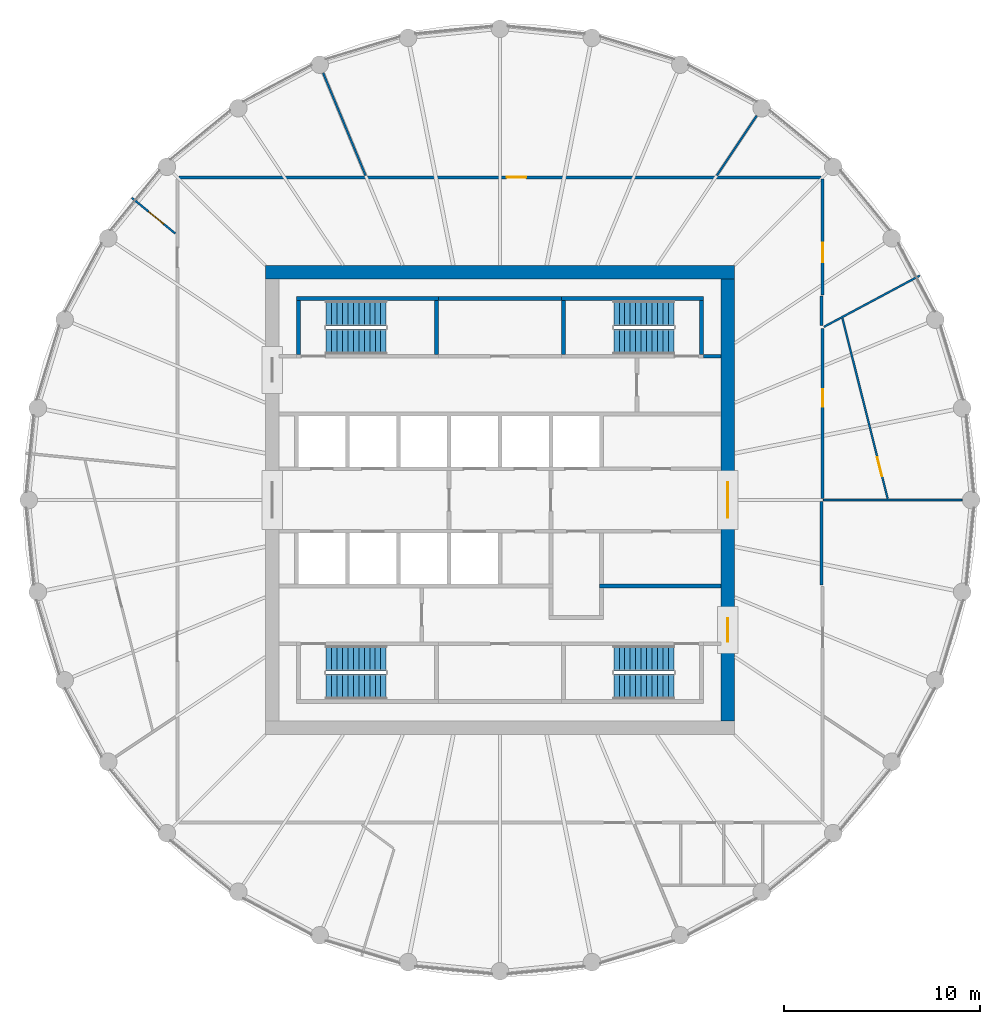
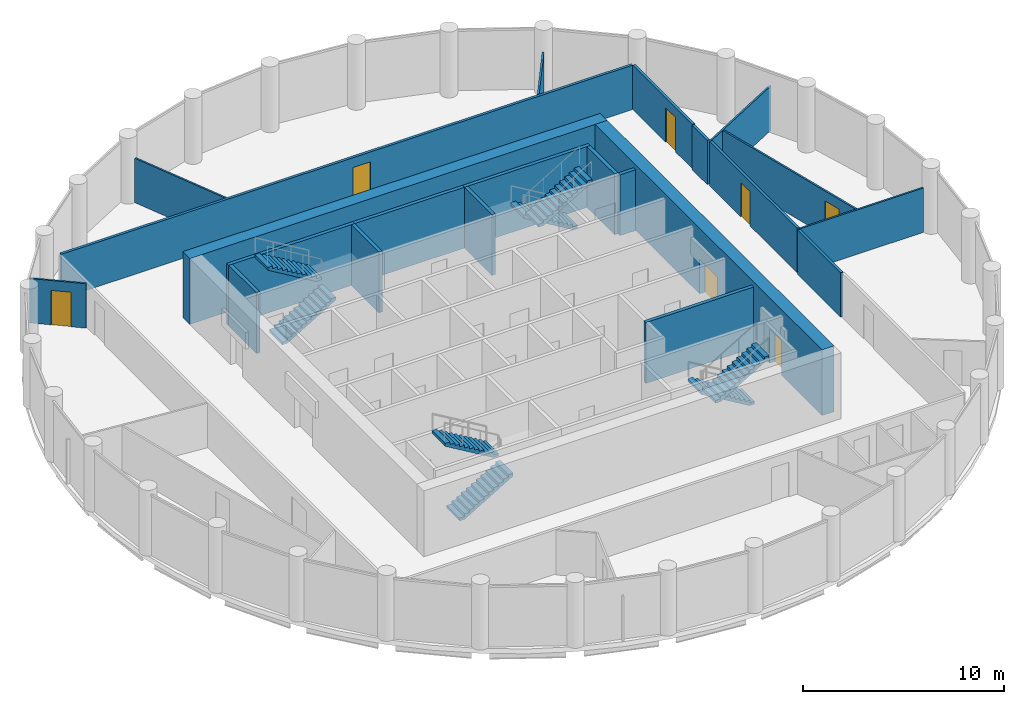
# One storey, part 6 of 7: 22 walls, 8 stair flights, 7 doors, 7 openings, 4 elements without a shape of their own.
"""IFC4 building model written with IfcOpenShell, lengths in metres."""

import ifcopenshell
import ifcopenshell.guid

model = None  # the IFC model being written
_history = None  # IfcOwnerHistory: only IFC2X3 demands one
_inside = {}  # id of a spatial element -> (the spatial element, [elements in it])
_under = {}  # id of a project, library or spatial element -> (it, [spatial elements below it])
_declared = {}  # id of a project -> (the project, [libraries it declares])
_typed = {}  # id of a type object -> (the type object, [elements of that type])
_made_of = {}  # id of a material, layer set ... -> (it, [elements and type objects made of it])


def new_model(schema):
    """Start an empty IFC model of exactly this schema.

    Asked for "IFC4X3", IfcOpenShell would pick the latest addendum, in which some entities
    have other attributes; the version numbers below select the first issue.
    IFC2X3 requires an IfcOwnerHistory on every rooted entity: one is made here for all.
    """
    global model, _history
    if schema == "IFC4X3":
        model = ifcopenshell.file(schema_version=(4, 3, 0, 0))
    else:
        model = ifcopenshell.file(schema=schema)
    _inside.clear()
    _under.clear()
    _declared.clear()
    _typed.clear()
    _made_of.clear()
    _history = None
    if model.schema == "IFC2X3":
        org = make("IfcOrganization", Name="unknown")
        user = make(
            "IfcPersonAndOrganization",
            ThePerson=make("IfcPerson", FamilyName="unknown"),
            TheOrganization=org,
        )
        app = make(
            "IfcApplication",
            ApplicationDeveloper=org,
            Version="unknown",
            ApplicationFullName="unknown",
            ApplicationIdentifier="unknown",
        )
        _history = make(
            "IfcOwnerHistory",
            OwningUser=user,
            OwningApplication=app,
            ChangeAction="ADDED",
            CreationDate=0,
        )
    return model


def make(cls, **values):
    """One entity of the class cls with the attributes given. An attribute that is None is left unset."""
    return model.create_entity(
        cls, **{name: value for name, value in values.items() if value is not None}
    )


def rooted(cls, **values):
    """An entity with a GlobalId (a new one), such as an element, a storey or a relation."""
    return make(cls, GlobalId=ifcopenshell.guid.new(), OwnerHistory=_history, **values)


def si_unit(unit_type, name, prefix=None):
    """IfcSIUnit, for example si_unit("LENGTHUNIT", "METRE", prefix="MILLI")."""
    return make("IfcSIUnit", UnitType=unit_type, Prefix=prefix, Name=name)


def assignment(units):
    """IfcUnitAssignment: the units of a project."""
    return None if units is None else make("IfcUnitAssignment", Units=units)


def point(xyz):
    """IfcCartesianPoint."""
    return None if xyz is None else make("IfcCartesianPoint", Coordinates=xyz)


def direction(xyz):
    """IfcDirection."""
    return None if xyz is None else make("IfcDirection", DirectionRatios=xyz)


def frame(location, z_axis=None, x_axis=None):
    """IfcAxis2Placement3D, a coordinate frame: its origin and axes. An axis left out is left unset."""
    return make(
        "IfcAxis2Placement3D",
        Location=point(location),
        Axis=direction(z_axis),
        RefDirection=direction(x_axis),
    )


def frame_2d(location, x_axis=None):
    """IfcAxis2Placement2D, a coordinate frame in the plane: its origin and x axis."""
    return make(
        "IfcAxis2Placement2D", Location=point(location), RefDirection=direction(x_axis)
    )


def origin():
    """The frame at (0, 0, 0) with its axes left unset."""
    return frame((0.0, 0.0, 0.0))


def place(relative_to, where):
    """IfcLocalPlacement: puts the frame where relative to a parent placement (None: the world)."""
    return make(
        "IfcLocalPlacement", PlacementRelTo=relative_to, RelativePlacement=where
    )


def context(
    kind, dimensions, precision=None, world=None, true_north=None, identifier=None
):
    """IfcGeometricRepresentationContext, for example the 3D "Model" context."""
    return make(
        "IfcGeometricRepresentationContext",
        ContextIdentifier=identifier,
        ContextType=kind,
        CoordinateSpaceDimension=dimensions,
        Precision=precision,
        WorldCoordinateSystem=world,
        TrueNorth=true_north,
    )


def subcontext(parent, identifier, kind, view, scale=None):
    """IfcGeometricRepresentationSubContext, for example "Body" below "Model"."""
    return make(
        "IfcGeometricRepresentationSubContext",
        ContextIdentifier=identifier,
        ContextType=kind,
        ParentContext=parent,
        TargetScale=scale,
        TargetView=view,
    )


def project(units=None, contexts=None):
    """IfcProject with its units and contexts."""
    return rooted(
        "IfcProject",
        Name="project",
        RepresentationContexts=contexts,
        UnitsInContext=assignment(units),
    )


def spatial(cls, under=None, at=None, **own):
    """A site, building, storey or space (cls), placed at a placement, below another one or the project."""
    s = rooted(cls, ObjectPlacement=at, **own)
    if under is not None:
        _under.setdefault(under.id(), (under, []))[1].append(s)
    return s


def polyline(points):
    """IfcPolyline through the points."""
    return make("IfcPolyline", Points=[point(p) for p in points])


def profile(cls, at=None, kind="AREA", **sizes):
    """A parametric profile (cls). Its sizes go by their IFC names, for example OverallWidth=200.0."""
    return make(cls, ProfileType=kind, Position=at, **sizes)


def rectangle(**sizes):
    """IfcRectangleProfileDef."""
    return profile("IfcRectangleProfileDef", **sizes)


def outline(outer, holes=None, kind="AREA"):
    """IfcArbitraryClosedProfileDef: a profile drawn as a closed curve; with holes, ...WithVoids."""
    if holes is None:
        return make("IfcArbitraryClosedProfileDef", ProfileType=kind, OuterCurve=outer)
    return make(
        "IfcArbitraryProfileDefWithVoids",
        ProfileType=kind,
        OuterCurve=outer,
        InnerCurves=holes,
    )


def extrude(swept, where, along, depth):
    """IfcExtrudedAreaSolid: the profile swept, set in the frame where, extruded along a direction by depth."""
    return make(
        "IfcExtrudedAreaSolid",
        SweptArea=swept,
        Position=where,
        ExtrudedDirection=direction(along),
        Depth=depth,
    )


def shape(context_of_items, identifier, shape_type, items):
    """IfcShapeRepresentation: the items that make up one representation, for example the "Body"."""
    return make(
        "IfcShapeRepresentation",
        ContextOfItems=context_of_items,
        RepresentationIdentifier=identifier,
        RepresentationType=shape_type,
        Items=items,
    )


def material(Name=None, Category=None):
    """IfcMaterial."""
    return make("IfcMaterial", Name=Name, Category=Category)


def layer(
    of_material, thickness, ventilated=None, Name=None, Category=None, Priority=None
):
    """IfcMaterialLayer: one layer of a wall or slab, of a material (None: an air gap)."""
    return make(
        "IfcMaterialLayer",
        Material=of_material,
        LayerThickness=thickness,
        IsVentilated=ventilated,
        Name=Name,
        Category=Category,
        Priority=Priority,
    )


def layer_set(layers, Name=None):
    """IfcMaterialLayerSet."""
    return make("IfcMaterialLayerSet", MaterialLayers=layers, LayerSetName=Name)


def made_of(thing, what):
    """Note that an element or type object is made of a material, layer set ...; save() writes the relation."""
    if what is not None:
        _made_of.setdefault(what.id(), (what, []))[1].append(thing)
    return thing


def type_object(cls, material=None, **own):
    """A type object (cls), such as IfcWallType, which elements share."""
    return made_of(rooted(cls, **own), material)


def element(
    cls,
    number,
    at=None,
    inside=None,
    cuts=None,
    type_object=None,
    material=None,
    context=None,
    identifier="Body",
    shape_type=None,
    held_by="IfcProductDefinitionShape",
    body=None,
    shapes=None,
    **own,
):
    """One element of the class cls, such as IfcWall. Its Tag is "e" and its number.

    at: its placement. inside: the storey or other place that contains it. cuts: it is an
    opening in that element (IfcRelVoidsElement). A single representation is given by context,
    identifier, shape_type and body (its items); several are given by shapes. held_by: the class
    of the entity that holds the representations. save() writes the other relations.
    """
    e = rooted(cls, Tag="e%d" % number, ObjectPlacement=at, **own)
    if body is not None:
        shapes = [shape(context, identifier, shape_type, body)]
    if shapes is not None:
        e.Representation = make(held_by, Representations=shapes)
    if inside is not None:
        _inside.setdefault(inside.id(), (inside, []))[1].append(e)
    if cuts is not None:
        rooted(
            "IfcRelVoidsElement", RelatingBuildingElement=cuts, RelatedOpeningElement=e
        )
    if type_object is not None:
        _typed.setdefault(type_object.id(), (type_object, []))[1].append(e)
    return made_of(e, material)


def fill(opening, filler):
    """IfcRelFillsElement: the door or window that sits in an opening."""
    return rooted(
        "IfcRelFillsElement",
        RelatingOpeningElement=opening,
        RelatedBuildingElement=filler,
    )


def aggregate(whole, parts):
    """IfcRelAggregates: a whole, such as a stair, and the parts it consists of."""
    return rooted("IfcRelAggregates", RelatingObject=whole, RelatedObjects=parts)


def save(model, path):
    """Write the relations noted so far, then the file.

    IfcRelAggregates (storeys below a building ...), IfcRelContainedInSpatialStructure (elements
    in a storey), IfcRelDefinesByType, IfcRelAssociatesMaterial and IfcRelDeclares: one each for
    every whole, place, type object, material and project.
    """
    for whole, parts in _under.values():
        aggregate(whole, parts)
    for where, things in _inside.values():
        rooted(
            "IfcRelContainedInSpatialStructure",
            RelatedElements=things,
            RelatingStructure=where,
        )
    for kind, things in _typed.values():
        rooted("IfcRelDefinesByType", RelatedObjects=things, RelatingType=kind)
    for what, things in _made_of.values():
        rooted("IfcRelAssociatesMaterial", RelatedObjects=things, RelatingMaterial=what)
    for by, libraries in _declared.values():
        rooted("IfcRelDeclares", RelatingContext=by, RelatedDefinitions=libraries)
    model.write(path)


model = new_model("IFC4")

# Units and contexts
model_context = context("Model", 3, precision=1e-05, world=origin(), true_north=direction((0.0, 1.0)))
body_context = subcontext(model_context, "Body", "Model", "MODEL_VIEW")
ifc_project = project(units=[si_unit("LENGTHUNIT", "METRE"), si_unit("AREAUNIT", "SQUARE_METRE"), si_unit("VOLUMEUNIT", "CUBIC_METRE"), si_unit("PLANEANGLEUNIT", "RADIAN"), si_unit("MASSUNIT", "GRAM", prefix="KILO")], contexts=[model_context])

# Site, building, storey
site_placement = place(None, origin())
site = spatial("IfcSite", under=ifc_project, at=site_placement, CompositionType="ELEMENT")
building_placement = place(site_placement, origin())
building = spatial("IfcBuilding", under=site, at=building_placement, Name="Corvane Civic Tower", CompositionType="ELEMENT")
storey_placement = place(building_placement, frame((0.0, 0.0, 267.0)))
storey = spatial("IfcBuildingStorey", under=building, at=storey_placement, Name="L63", CompositionType="ELEMENT", Elevation=267.0)

# Wall
ifc_material_1 = material(Name="Concrete C40/50", Category="concrete")
ifc_layer_1 = layer(ifc_material_1, 0.699951171875)
ifc_layer_set_1 = layer_set([ifc_layer_1], Name="Concrete C40/50")
wall_type_1 = type_object("IfcWallType", Name="CORE WALL 700 C40/50", PredefinedType="SHEAR", material=ifc_layer_set_1)
wall_1_placement = place(storey_placement, frame((-12.0, 11.64990234375, 0.0), z_axis=(0.0, 0.0, 1.0), x_axis=(1.0, 0.0, 0.0)))
element("IfcWall", 1, at=wall_1_placement, inside=storey, type_object=wall_type_1, Name="W-L63-core-N", PredefinedType="SHEAR", context=body_context, shape_type="SweptSolid", body=[
    extrude(rectangle(XDim=24.0, YDim=0.699951171875, at=frame_2d((12.0, 0.0))), origin(), (0.0, 0.0, 1.0), 4.0),
])

# Wall, openings, doors
wall_2_placement = place(storey_placement, frame((11.64990234375, -11.300048828125, 0.0), z_axis=(0.0, 0.0, 1.0), x_axis=(0.0, 1.0, 0.0)))
wall_2 = element("IfcWall", 2, at=wall_2_placement, inside=storey, type_object=wall_type_1, Name="W-L63-core-E", PredefinedType="SHEAR", context=body_context, shape_type="SweptSolid", body=[
    extrude(rectangle(XDim=22.60009765625, YDim=0.699951171875, at=frame_2d((11.300048828125, 0.0))), origin(), (0.0, 0.0, 1.0), 4.0),
])
opening_1_placement = place(wall_2_placement, frame((10.39990234375, 0.0, 0.0)))
opening_1 = element("IfcOpeningElement", 3, at=opening_1_placement, cuts=wall_2, Name="Opening L63.C16", PredefinedType="OPENING", context=body_context, shape_type="SweptSolid", body=[
    extrude(rectangle(XDim=1.800048828125, YDim=2.10009765625, at=frame_2d((0.89990234375, 1.050048828125))), frame((0.0, 0.35986328125, 0.0), z_axis=(0.0, -1.0, 0.0), x_axis=(1.0, 0.0, 0.0)), (0.0, 0.0, 1.0), 0.719970703125),
])
opening_2_placement = place(wall_2_placement, frame((4.050048828125, 0.0, 0.0)))
opening_2 = element("IfcOpeningElement", 4, at=opening_2_placement, cuts=wall_2, Name="Opening L63.C18", PredefinedType="OPENING", context=body_context, shape_type="SweptSolid", body=[
    extrude(rectangle(XDim=1.199951171875, YDim=2.10009765625, at=frame_2d((0.60009765625, 1.050048828125))), frame((0.0, 0.35986328125, 0.0), z_axis=(0.0, -1.0, 0.0), x_axis=(1.0, 0.0, 0.0)), (0.0, 0.0, 1.0), 0.719970703125),
])
ifc_material_2 = material(Name="Steel fire door leaf", Category="steel")
door_type_1 = type_object("IfcDoorType", Name="CR-DOOR-CORE-1800", OperationType="DOUBLE_DOOR_SINGLE_SWING", PredefinedType="DOOR", material=ifc_material_2)
door_1_placement = place(opening_1_placement, origin())
door_1 = element("IfcDoor", 5, at=door_1_placement, inside=storey, type_object=door_type_1, Name="L63 door", OperationType="DOUBLE_DOOR_SINGLE_SWING", OverallHeight=2.10009765625, OverallWidth=1.800048828125, PredefinedType="DOOR", context=body_context, shape_type="SweptSolid", body=[
    extrude(rectangle(XDim=1.800048828125, YDim=2.10009765625, at=frame_2d((0.89990234375, 1.050048828125))), frame((0.0, 0.02490234375, 0.0), z_axis=(0.0, -1.0, 0.0), x_axis=(1.0, 0.0, 0.0)), (0.0, 0.0, 1.0), 0.050048828125),
])
fill(opening_1, door_1)
door_2_placement = place(opening_2_placement, origin())
door_2 = element("IfcDoor", 6, at=door_2_placement, inside=storey, type_object=door_type_1, Name="L63 door", OperationType="DOUBLE_DOOR_SINGLE_SWING", OverallHeight=2.10009765625, OverallWidth=1.199951171875, PredefinedType="DOOR", context=body_context, shape_type="SweptSolid", body=[
    extrude(rectangle(XDim=1.199951171875, YDim=2.10009765625, at=frame_2d((0.60009765625, 1.050048828125))), frame((0.0, 0.02490234375, 0.0), z_axis=(0.0, -1.0, 0.0), x_axis=(1.0, 0.0, 0.0)), (0.0, 0.0, 1.0), 0.050048828125),
])
fill(opening_2, door_2)

# Walls
ifc_material_3 = material(Name="Concrete C30/37", Category="concrete")
ifc_layer_2 = layer(ifc_material_3, 0.199951171875)
ifc_layer_set_2 = layer_set([ifc_layer_2], Name="Concrete C30/37")
wall_type_2 = type_object("IfcWallType", Name="CR-WALL-200", PredefinedType="PARTITIONING", material=ifc_layer_set_2)
wall_3_placement = place(storey_placement, origin())
element("IfcWall", 7, at=wall_3_placement, inside=storey, type_object=wall_type_2, Name="L63 core partition wall", PredefinedType="PARTITIONING", context=body_context, shape_type="SweptSolid", body=[
    extrude(outline(polyline([(11.300048828125, -4.5), (5.10009765625, -4.5), (5.10009765625, -4.300048828125), (11.300048828125, -4.300048828125), (11.300048828125, -4.5)])), origin(), (0.0, 0.0, 1.0), 3.699951171875),
])
wall_4_placement = place(storey_placement, origin())
element("IfcWall", 8, at=wall_4_placement, inside=storey, type_object=wall_type_2, Name="L63 core partition wall", PredefinedType="PARTITIONING", context=body_context, shape_type="SweptSolid", body=[
    extrude(outline(polyline([(-3.14990234375, 10.199951171875), (-3.14990234375, 10.39990234375), (3.14990234375, 10.39990234375), (3.14990234375, 10.199951171875), (-3.14990234375, 10.199951171875)])), origin(), (0.0, 0.0, 1.0), 3.699951171875),
])
wall_5_placement = place(storey_placement, origin())
element("IfcWall", 9, at=wall_5_placement, inside=storey, type_object=wall_type_2, Name="L63 core partition wall", PredefinedType="PARTITIONING", context=body_context, shape_type="SweptSolid", body=[
    extrude(outline(polyline([(10.39990234375, 7.25), (10.39990234375, 7.449951171875), (11.300048828125, 7.449951171875), (11.300048828125, 7.25), (10.39990234375, 7.25)])), origin(), (0.0, 0.0, 1.0), 3.699951171875),
])
ifc_material_4 = material(Name="Plasterboard")
ifc_layer_3 = layer(ifc_material_4, 0.10009765625)
ifc_layer_set_3 = layer_set([ifc_layer_3], Name="Plasterboard")
wall_type_3 = type_object("IfcWallType", Name="Partition 100 plasterboard on studs", PredefinedType="PARTITIONING", material=ifc_layer_set_3)
wall_6_placement = place(storey_placement, frame((16.5400390625, 0.0, 0.0), z_axis=(0.0, 0.0, 1.0), x_axis=(1.0, 0.0, 0.0)))
element("IfcWall", 10, at=wall_6_placement, inside=storey, type_object=wall_type_3, Name="Partition L63.015", PredefinedType="PARTITIONING", context=body_context, shape_type="SweptSolid", body=[
    extrude(rectangle(XDim=7.10009765625, YDim=0.10009765625, at=frame_2d((3.550048828125, 0.0))), origin(), (0.0, 0.0, 1.0), 2.699951171875),
])

# Wall, opening, door
wall_7_placement = place(storey_placement, frame((17.51708984375, 9.29248046875, 0.0), z_axis=(0.0, 0.0, 1.0), x_axis=(0.242970257717, -0.970033738519, 0.0)))
wall_7 = element("IfcWall", 11, at=wall_7_placement, inside=storey, type_object=wall_type_3, Name="Partition L63.016", PredefinedType="PARTITIONING", context=body_context, shape_type="SweptSolid", body=[
    extrude(rectangle(XDim=9.515625, YDim=0.10009765625, at=frame_2d((4.7578125, 0.0))), origin(), (0.0, 0.0, 1.0), 2.699951171875),
])
opening_3_placement = place(wall_7_placement, frame((7.322509765625, 0.0, 0.0)))
opening_3 = element("IfcOpeningElement", 12, at=opening_3_placement, cuts=wall_7, Name="Opening L63.007", PredefinedType="OPENING", context=body_context, shape_type="SweptSolid", body=[
    extrude(rectangle(XDim=1.0, YDim=2.10009765625, at=frame_2d((0.5, 1.050048828125))), frame((0.0, 0.06005859375, 0.0), z_axis=(0.0, -1.0, 0.0), x_axis=(1.0, 0.0, 0.0)), (0.0, 0.0, 1.0), 0.1201171875),
])
ifc_material_5 = material(Name="Timber", Category="wood")
door_type_2 = type_object("IfcDoorType", Name="Single door 1000", OperationType="NOTDEFINED", PredefinedType="DOOR", material=ifc_material_5)
door_3_placement = place(opening_3_placement, origin())
door_3 = element("IfcDoor", 13, at=door_3_placement, inside=storey, type_object=door_type_2, Name="Door L63.007", OperationType="SINGLE_SWING_LEFT", OverallHeight=2.10009765625, OverallWidth=1.0, PredefinedType="DOOR", context=body_context, shape_type="SweptSolid", body=[
    extrude(rectangle(XDim=1.0, YDim=2.10009765625, at=frame_2d((0.5, 1.050048828125))), frame((0.0, 0.02490234375, 0.0), z_axis=(0.0, -1.0, 0.0), x_axis=(1.0, 0.0, 0.0)), (0.0, 0.0, 1.0), 0.050048828125),
])
fill(opening_3, door_3)

# Wall
wall_8_placement = place(storey_placement, frame((16.563720703125, 8.853515625, 0.0), z_axis=(0.0, 0.0, 1.0), x_axis=(0.88193512519, 0.471370804098, 0.0)))
element("IfcWall", 14, at=wall_8_placement, inside=storey, type_object=wall_type_3, Name="Partition L63.019", PredefinedType="PARTITIONING", context=body_context, shape_type="SweptSolid", body=[
    extrude(rectangle(XDim=5.56884765625, YDim=0.10009765625, at=frame_2d((2.784423828125, 0.0))), origin(), (0.0, 0.0, 1.0), 2.699951171875),
])

# Wall, opening, door
wall_9_placement = place(storey_placement, frame((-18.822998046875, 15.447509765625, 0.0), z_axis=(0.0, 0.0, 1.0), x_axis=(0.773057309147, -0.634336185926, 0.0)))
wall_9 = element("IfcWall", 15, at=wall_9_placement, inside=storey, type_object=wall_type_3, Name="Partition L63.022", PredefinedType="PARTITIONING", context=body_context, shape_type="SweptSolid", body=[
    extrude(rectangle(XDim=2.866943359375, YDim=0.10009765625, at=frame_2d((1.43359375, 0.0))), origin(), (0.0, 0.0, 1.0), 2.699951171875),
])
opening_4_placement = place(wall_9_placement, frame((1.102783203125, 0.0, 0.0)))
opening_4 = element("IfcOpeningElement", 16, at=opening_4_placement, cuts=wall_9, Name="Opening L63.004", PredefinedType="OPENING", context=body_context, shape_type="SweptSolid", body=[
    extrude(rectangle(XDim=1.0, YDim=2.10009765625, at=frame_2d((0.5, 1.050048828125))), frame((0.0, 0.06005859375, 0.0), z_axis=(0.0, -1.0, 0.0), x_axis=(1.0, 0.0, 0.0)), (0.0, 0.0, 1.0), 0.1201171875),
])
door_4_placement = place(opening_4_placement, origin())
door_4 = element("IfcDoor", 17, at=door_4_placement, inside=storey, type_object=door_type_2, Name="Door L63.004", OperationType="SINGLE_SWING_LEFT", OverallHeight=2.10009765625, OverallWidth=1.0, PredefinedType="DOOR", context=body_context, shape_type="SweptSolid", body=[
    extrude(rectangle(XDim=1.0, YDim=2.10009765625, at=frame_2d((0.5, 1.050048828125))), frame((0.0, 0.02490234375, 0.0), z_axis=(0.0, -1.0, 0.0), x_axis=(1.0, 0.0, 0.0)), (0.0, 0.0, 1.0), 0.050048828125),
])
fill(opening_4, door_4)

# Walls
wall_10_placement = place(storey_placement, frame((-9.046630859375, 21.84033203125, 0.0), z_axis=(0.0, 0.0, 1.0), x_axis=(0.382682139097, -0.9238800682, 0.0)))
element("IfcWall", 18, at=wall_10_placement, inside=storey, type_object=wall_type_3, Name="Partition L63.024", PredefinedType="PARTITIONING", context=body_context, shape_type="SweptSolid", body=[
    extrude(rectangle(XDim=5.6787109375, YDim=0.10009765625, at=frame_2d((2.83935546875, 0.0))), origin(), (0.0, 0.0, 1.0), 2.699951171875),
])
wall_11_placement = place(storey_placement, frame((11.093505859375, 16.602783203125, 0.0), z_axis=(0.0, 0.0, 1.0), x_axis=(0.555559107402, 0.831477046095, 0.0)))
element("IfcWall", 19, at=wall_11_placement, inside=storey, type_object=wall_type_3, Name="Partition L63.025", PredefinedType="PARTITIONING", context=body_context, shape_type="SweptSolid", body=[
    extrude(rectangle(XDim=3.672119140625, YDim=0.10009765625, at=frame_2d((1.8359375, 0.0))), origin(), (0.0, 0.0, 1.0), 2.699951171875),
])
ifc_material_6 = material(Name="Concrete C50/60", Category="concrete")
ifc_layer_4 = layer(ifc_material_6, 0.199951171875)
ifc_layer_set_4 = layer_set([ifc_layer_4], Name="Concrete C50/60")
wall_type_4 = type_object("IfcWallType", Name="ST-WALL-200", PredefinedType="SHEAR", material=ifc_layer_set_4)
wall_12_placement = place(storey_placement, origin())
element("IfcWall", 20, at=wall_12_placement, inside=storey, type_object=wall_type_4, Name="L63 stair enclosure wall", PredefinedType="SHEAR", context=body_context, shape_type="SweptSolid", body=[
    extrude(outline(polyline([(-3.14990234375, 10.199951171875), (-10.39990234375, 10.199951171875), (-10.39990234375, 10.39990234375), (-3.14990234375, 10.39990234375), (-3.14990234375, 10.199951171875)])), origin(), (0.0, 0.0, 1.0), 3.699951171875),
])
wall_13_placement = place(storey_placement, origin())
element("IfcWall", 21, at=wall_13_placement, inside=storey, type_object=wall_type_4, Name="L63 stair enclosure wall", PredefinedType="SHEAR", context=body_context, shape_type="SweptSolid", body=[
    extrude(outline(polyline([(10.39990234375, 10.199951171875), (3.14990234375, 10.199951171875), (3.14990234375, 10.39990234375), (10.39990234375, 10.39990234375), (10.39990234375, 10.199951171875)])), origin(), (0.0, 0.0, 1.0), 3.699951171875),
])
wall_14_placement = place(storey_placement, origin())
element("IfcWall", 22, at=wall_14_placement, inside=storey, type_object=wall_type_4, Name="L63 stair enclosure wall", PredefinedType="SHEAR", context=body_context, shape_type="SweptSolid", body=[
    extrude(outline(polyline([(-3.14990234375, 7.449951171875), (-3.35009765625, 7.449951171875), (-3.35009765625, 10.199951171875), (-3.14990234375, 10.199951171875), (-3.14990234375, 7.449951171875)])), origin(), (0.0, 0.0, 1.0), 3.699951171875),
])
wall_15_placement = place(storey_placement, origin())
element("IfcWall", 23, at=wall_15_placement, inside=storey, type_object=wall_type_4, Name="L63 stair enclosure wall", PredefinedType="SHEAR", context=body_context, shape_type="SweptSolid", body=[
    extrude(outline(polyline([(3.35009765625, 7.449951171875), (3.14990234375, 7.449951171875), (3.14990234375, 10.199951171875), (3.35009765625, 10.199951171875), (3.35009765625, 7.449951171875)])), origin(), (0.0, 0.0, 1.0), 3.699951171875),
])
wall_16_placement = place(storey_placement, origin())
element("IfcWall", 24, at=wall_16_placement, inside=storey, type_object=wall_type_4, Name="L63 stair enclosure wall", PredefinedType="SHEAR", context=body_context, shape_type="SweptSolid", body=[
    extrude(outline(polyline([(-10.199951171875, 7.449951171875), (-10.39990234375, 7.449951171875), (-10.39990234375, 10.199951171875), (-10.199951171875, 10.199951171875), (-10.199951171875, 7.449951171875)])), origin(), (0.0, 0.0, 1.0), 3.699951171875),
])
wall_17_placement = place(storey_placement, origin())
element("IfcWall", 25, at=wall_17_placement, inside=storey, type_object=wall_type_4, Name="L63 stair enclosure wall", PredefinedType="SHEAR", context=body_context, shape_type="SweptSolid", body=[
    extrude(outline(polyline([(10.39990234375, 7.449951171875), (10.199951171875, 7.449951171875), (10.199951171875, 10.199951171875), (10.39990234375, 10.199951171875), (10.39990234375, 7.449951171875)])), origin(), (0.0, 0.0, 1.0), 3.699951171875),
])
ifc_material_7 = material(Name="Plasterboard")
ifc_layer_5 = layer(ifc_material_7, 0.14990234375)
ifc_layer_set_5 = layer_set([ifc_layer_5], Name="Plasterboard")
wall_type_5 = type_object("IfcWallType", Name="Tenancy wall 150 EI 60", PredefinedType="PARTITIONING", material=ifc_layer_set_5)
wall_18_placement = place(storey_placement, frame((16.449951171875, -4.356201171875, 0.0), z_axis=(0.0, 0.0, 1.0), x_axis=(0.0, 1.0, 0.0)))
element("IfcWall", 26, at=wall_18_placement, inside=storey, type_object=wall_type_5, Name="Partition L63.014", PredefinedType="PARTITIONING", context=body_context, shape_type="SweptSolid", body=[
    extrude(rectangle(XDim=4.28125, YDim=0.14990234375, at=frame_2d((2.140625, 0.0))), origin(), (0.0, 0.0, 1.0), 2.699951171875),
])

# Wall, opening, door
wall_19_placement = place(storey_placement, frame((16.5, 0.074951171875, 0.0), z_axis=(0.0, 0.0, 1.0), x_axis=(0.0, 1.0, 0.0)))
wall_19 = element("IfcWall", 27, at=wall_19_placement, inside=storey, type_object=wall_type_5, Name="Partition L63.017", PredefinedType="PARTITIONING", context=body_context, shape_type="SweptSolid", body=[
    extrude(rectangle(XDim=8.699462890625, YDim=0.14990234375, at=frame_2d((4.349609375, 0.0))), origin(), (0.0, 0.0, 1.0), 2.699951171875),
])
opening_5_placement = place(wall_19_placement, frame((4.69287109375, 0.0, 0.0)))
opening_5 = element("IfcOpeningElement", 28, at=opening_5_placement, cuts=wall_19, Name="Opening L63.008", PredefinedType="OPENING", context=body_context, shape_type="SweptSolid", body=[
    extrude(rectangle(XDim=0.89990234375, YDim=2.10009765625, at=frame_2d((0.449951171875, 1.050048828125))), frame((0.0, 0.0849609375, 0.0), z_axis=(0.0, -1.0, 0.0), x_axis=(1.0, 0.0, 0.0)), (0.0, 0.0, 1.0), 0.169921875),
])
ifc_material_8 = material(Name="Steel and timber", Category="steel")
door_type_3 = type_object("IfcDoorType", Name="Fire door FD30S 900", OperationType="NOTDEFINED", PredefinedType="DOOR", material=ifc_material_8)
door_5_placement = place(opening_5_placement, frame((0.89990234375, 0.0, 0.0), z_axis=(0.0, 0.0, 1.0), x_axis=(-1.0, 0.0, 0.0)))
door_5 = element("IfcDoor", 29, at=door_5_placement, inside=storey, type_object=door_type_3, Name="Door L63.008", OperationType="SINGLE_SWING_LEFT", OverallHeight=2.10009765625, OverallWidth=0.89990234375, PredefinedType="DOOR", context=body_context, shape_type="SweptSolid", body=[
    extrude(rectangle(XDim=0.89990234375, YDim=2.10009765625, at=frame_2d((0.449951171875, 1.050048828125))), frame((0.0, 0.02490234375, 0.0), z_axis=(0.0, -1.0, 0.0), x_axis=(1.0, 0.0, 0.0)), (0.0, 0.0, 1.0), 0.050048828125),
])
fill(opening_5, door_5)

# Wall
wall_20_placement = place(storey_placement, frame((16.449951171875, 8.917724609375, 0.0), z_axis=(0.0, 0.0, 1.0), x_axis=(0.0, 1.0, 0.0)))
element("IfcWall", 30, at=wall_20_placement, inside=storey, type_object=wall_type_5, Name="Partition L63.020", PredefinedType="PARTITIONING", context=body_context, shape_type="SweptSolid", body=[
    extrude(rectangle(XDim=1.51220703125, YDim=0.14990234375, at=frame_2d((0.756103515625, 0.0))), origin(), (0.0, 0.0, 1.0), 2.699951171875),
])

# Wall, opening, door
wall_21_placement = place(storey_placement, frame((16.5, 10.47998046875, 0.0), z_axis=(0.0, 0.0, 1.0), x_axis=(0.0, 1.0, 0.0)))
wall_21 = element("IfcWall", 31, at=wall_21_placement, inside=storey, type_object=wall_type_5, Name="Partition L63.021", PredefinedType="PARTITIONING", context=body_context, shape_type="SweptSolid", body=[
    extrude(rectangle(XDim=5.945068359375, YDim=0.14990234375, at=frame_2d((2.97265625, 0.0))), origin(), (0.0, 0.0, 1.0), 2.699951171875),
])
opening_6_placement = place(wall_21_placement, frame((1.674072265625, 0.0, 0.0)))
opening_6 = element("IfcOpeningElement", 32, at=opening_6_placement, cuts=wall_21, Name="Opening L63.006", PredefinedType="OPENING", context=body_context, shape_type="SweptSolid", body=[
    extrude(rectangle(XDim=1.0, YDim=2.10009765625, at=frame_2d((0.5, 1.050048828125))), frame((0.0, 0.0849609375, 0.0), z_axis=(0.0, -1.0, 0.0), x_axis=(1.0, 0.0, 0.0)), (0.0, 0.0, 1.0), 0.169921875),
])
ifc_material_9 = material(Name="Steel and timber", Category="steel")
door_type_4 = type_object("IfcDoorType", Name="Fire door FD30S 1000", OperationType="NOTDEFINED", PredefinedType="DOOR", material=ifc_material_9)
door_6_placement = place(opening_6_placement, frame((1.0, 0.0, 0.0), z_axis=(0.0, 0.0, 1.0), x_axis=(-1.0, 0.0, 0.0)))
door_6 = element("IfcDoor", 33, at=door_6_placement, inside=storey, type_object=door_type_4, Name="Door L63.006", OperationType="SINGLE_SWING_RIGHT", OverallHeight=2.10009765625, OverallWidth=1.0, PredefinedType="DOOR", context=body_context, shape_type="SweptSolid", body=[
    extrude(rectangle(XDim=1.0, YDim=2.10009765625, at=frame_2d((0.5, 1.050048828125))), frame((0.0, 0.02490234375, 0.0), z_axis=(0.0, -1.0, 0.0), x_axis=(1.0, 0.0, 0.0)), (0.0, 0.0, 1.0), 0.050048828125),
])
fill(opening_6, door_6)

wall_22_placement = place(storey_placement, frame((-16.425048828125, 16.5, 0.0), z_axis=(0.0, 0.0, 1.0), x_axis=(1.0, 0.0, 0.0)))
wall_22 = element("IfcWall", 34, at=wall_22_placement, inside=storey, type_object=wall_type_5, Name="Partition L63.023", PredefinedType="PARTITIONING", context=body_context, shape_type="SweptSolid", body=[
    extrude(rectangle(XDim=32.85009765625, YDim=0.14990234375, at=frame_2d((16.425048828125, 0.0))), origin(), (0.0, 0.0, 1.0), 2.699951171875),
])
opening_7_placement = place(wall_22_placement, frame((16.76708984375, 0.0, 0.0)))
opening_7 = element("IfcOpeningElement", 35, at=opening_7_placement, cuts=wall_22, Name="Opening L63.005", PredefinedType="OPENING", context=body_context, shape_type="SweptSolid", body=[
    extrude(rectangle(XDim=1.0, YDim=2.10009765625, at=frame_2d((0.5, 1.050048828125))), frame((0.0, 0.0849609375, 0.0), z_axis=(0.0, -1.0, 0.0), x_axis=(1.0, 0.0, 0.0)), (0.0, 0.0, 1.0), 0.169921875),
])
door_7_placement = place(opening_7_placement, origin())
door_7 = element("IfcDoor", 36, at=door_7_placement, inside=storey, type_object=door_type_4, Name="Door L63.005", OperationType="SINGLE_SWING_LEFT", OverallHeight=2.10009765625, OverallWidth=1.0, PredefinedType="DOOR", context=body_context, shape_type="SweptSolid", body=[
    extrude(rectangle(XDim=1.0, YDim=2.10009765625, at=frame_2d((0.5, 1.050048828125))), frame((0.0, 0.02490234375, 0.0), z_axis=(0.0, -1.0, 0.0), x_axis=(1.0, 0.0, 0.0)), (0.0, 0.0, 1.0), 0.050048828125),
])
fill(opening_7, door_7)

# Stair, stair flights
ifc_material_10 = material(Name="Concrete C40/50", Category="concrete")
stair_type = type_object("IfcStairType", Name="ST-STAIR-HALFTURN", PredefinedType="HALF_TURN_STAIR", material=ifc_material_10)
stair_1_placement = place(storey_placement, origin())
stair_1 = element("IfcStair", 37, at=stair_1_placement, inside=storey, type_object=stair_type, Name="L63 Exit stair ST1", PredefinedType="HALF_TURN_STAIR")
ifc_material_11 = material(Name="Concrete C40/50", Category="concrete")
stair_flight_type = type_object("IfcStairFlightType", Name="ST-FLIGHT-RC", PredefinedType="STRAIGHT", material=ifc_material_11)
stair_flight_1_placement = place(storey_placement, frame((8.89990234375, 9.550048828125, 0.0), z_axis=(0.0, 0.0, 1.0), x_axis=(-1.0, 0.0, 0.0)))
stair_flight_1 = element("IfcStairFlight", 38, at=stair_flight_1_placement, type_object=stair_flight_type, Name="ST1 flight 1", NumberOfRisers=12, NumberOfTreads=11, PredefinedType="STRAIGHT", RiserHeight=0.166666667, TreadLength=0.28, context=body_context, shape_type="SweptSolid", body=[
    extrude(outline(polyline([(0.0, 0.0), (0.0, 0.166748046875), (0.280029296875, 0.166748046875), (0.280029296875, 0.333251953125), (0.56005859375, 0.333251953125), (0.56005859375, 0.5), (0.840087890625, 0.5), (0.840087890625, 0.666748046875), (1.1201171875, 0.666748046875), (1.1201171875, 0.833251953125), (1.39990234375, 0.833251953125), (1.39990234375, 1.0), (1.679931640625, 1.0), (1.679931640625, 1.166748046875), (1.9599609375, 1.166748046875), (1.9599609375, 1.333251953125), (2.239990234375, 1.333251953125), (2.239990234375, 1.5), (2.52001953125, 1.5), (2.52001953125, 1.666748046875), (2.800048828125, 1.666748046875), (2.800048828125, 1.833251953125), (3.080078125, 1.833251953125), (3.080078125, 2.0), (3.080078125, 1.658935546875), (0.29296875, 0.0), (0.0, 0.0)])), frame((0.0, 0.64990234375, 0.0), z_axis=(0.0, -1.0, 0.0), x_axis=(1.0, 0.0, 0.0)), (0.0, 0.0, 1.0), 1.300048828125),
])
stair_flight_2_placement = place(storey_placement, frame((5.820068359375, 8.10009765625, 2.0), z_axis=(0.0, 0.0, 1.0), x_axis=(1.0, 0.0, 0.0)))
stair_flight_2 = element("IfcStairFlight", 39, at=stair_flight_2_placement, type_object=stair_flight_type, Name="ST1 flight 2", NumberOfRisers=12, NumberOfTreads=11, PredefinedType="STRAIGHT", RiserHeight=0.166666667, TreadLength=0.28, context=body_context, shape_type="SweptSolid", body=[
    extrude(outline(polyline([(0.0, 0.0), (0.0, 0.166748046875), (0.280029296875, 0.166748046875), (0.280029296875, 0.333251953125), (0.56005859375, 0.333251953125), (0.56005859375, 0.5), (0.840087890625, 0.5), (0.840087890625, 0.666748046875), (1.1201171875, 0.666748046875), (1.1201171875, 0.833251953125), (1.39990234375, 0.833251953125), (1.39990234375, 1.0), (1.679931640625, 1.0), (1.679931640625, 1.166748046875), (1.9599609375, 1.166748046875), (1.9599609375, 1.333251953125), (2.239990234375, 1.333251953125), (2.239990234375, 1.5), (2.52001953125, 1.5), (2.52001953125, 1.666748046875), (2.800048828125, 1.666748046875), (2.800048828125, 1.833251953125), (3.080078125, 1.833251953125), (3.080078125, 2.0), (3.080078125, 1.658935546875), (0.29296875, 0.0), (0.0, 0.0)])), frame((0.0, 0.64990234375, 0.0), z_axis=(0.0, -1.0, 0.0), x_axis=(1.0, 0.0, 0.0)), (0.0, 0.0, 1.0), 1.300048828125),
])
aggregate(stair_1, [stair_flight_1, stair_flight_2])

stair_2_placement = place(storey_placement, origin())
stair_2 = element("IfcStair", 40, at=stair_2_placement, inside=storey, type_object=stair_type, Name="L63 Exit stair ST2", PredefinedType="HALF_TURN_STAIR")
stair_flight_3_placement = place(storey_placement, frame((8.89990234375, -8.10009765625, 0.0), z_axis=(0.0, 0.0, 1.0), x_axis=(-1.0, 0.0, 0.0)))
stair_flight_3 = element("IfcStairFlight", 41, at=stair_flight_3_placement, type_object=stair_flight_type, Name="ST2 flight 1", NumberOfRisers=12, NumberOfTreads=11, PredefinedType="STRAIGHT", RiserHeight=0.166666667, TreadLength=0.28, context=body_context, shape_type="SweptSolid", body=[
    extrude(outline(polyline([(0.0, 0.0), (0.0, 0.166748046875), (0.280029296875, 0.166748046875), (0.280029296875, 0.333251953125), (0.56005859375, 0.333251953125), (0.56005859375, 0.5), (0.840087890625, 0.5), (0.840087890625, 0.666748046875), (1.1201171875, 0.666748046875), (1.1201171875, 0.833251953125), (1.39990234375, 0.833251953125), (1.39990234375, 1.0), (1.679931640625, 1.0), (1.679931640625, 1.166748046875), (1.9599609375, 1.166748046875), (1.9599609375, 1.333251953125), (2.239990234375, 1.333251953125), (2.239990234375, 1.5), (2.52001953125, 1.5), (2.52001953125, 1.666748046875), (2.800048828125, 1.666748046875), (2.800048828125, 1.833251953125), (3.080078125, 1.833251953125), (3.080078125, 2.0), (3.080078125, 1.658935546875), (0.29296875, 0.0), (0.0, 0.0)])), frame((0.0, 0.64990234375, 0.0), z_axis=(0.0, -1.0, 0.0), x_axis=(1.0, 0.0, 0.0)), (0.0, 0.0, 1.0), 1.300048828125),
])
stair_flight_4_placement = place(storey_placement, frame((5.820068359375, -9.550048828125, 2.0), z_axis=(0.0, 0.0, 1.0), x_axis=(1.0, 0.0, 0.0)))
stair_flight_4 = element("IfcStairFlight", 42, at=stair_flight_4_placement, type_object=stair_flight_type, Name="ST2 flight 2", NumberOfRisers=12, NumberOfTreads=11, PredefinedType="STRAIGHT", RiserHeight=0.166666667, TreadLength=0.28, context=body_context, shape_type="SweptSolid", body=[
    extrude(outline(polyline([(0.0, 0.0), (0.0, 0.166748046875), (0.280029296875, 0.166748046875), (0.280029296875, 0.333251953125), (0.56005859375, 0.333251953125), (0.56005859375, 0.5), (0.840087890625, 0.5), (0.840087890625, 0.666748046875), (1.1201171875, 0.666748046875), (1.1201171875, 0.833251953125), (1.39990234375, 0.833251953125), (1.39990234375, 1.0), (1.679931640625, 1.0), (1.679931640625, 1.166748046875), (1.9599609375, 1.166748046875), (1.9599609375, 1.333251953125), (2.239990234375, 1.333251953125), (2.239990234375, 1.5), (2.52001953125, 1.5), (2.52001953125, 1.666748046875), (2.800048828125, 1.666748046875), (2.800048828125, 1.833251953125), (3.080078125, 1.833251953125), (3.080078125, 2.0), (3.080078125, 1.658935546875), (0.29296875, 0.0), (0.0, 0.0)])), frame((0.0, 0.64990234375, 0.0), z_axis=(0.0, -1.0, 0.0), x_axis=(1.0, 0.0, 0.0)), (0.0, 0.0, 1.0), 1.300048828125),
])
aggregate(stair_2, [stair_flight_3, stair_flight_4])

stair_3_placement = place(storey_placement, origin())
stair_3 = element("IfcStair", 43, at=stair_3_placement, inside=storey, type_object=stair_type, Name="L63 Exit stair ST3", PredefinedType="HALF_TURN_STAIR")
stair_flight_5_placement = place(storey_placement, frame((-8.89990234375, -9.550048828125, 0.0), z_axis=(0.0, 0.0, 1.0), x_axis=(1.0, 0.0, 0.0)))
stair_flight_5 = element("IfcStairFlight", 44, at=stair_flight_5_placement, type_object=stair_flight_type, Name="ST3 flight 1", NumberOfRisers=12, NumberOfTreads=11, PredefinedType="STRAIGHT", RiserHeight=0.166666667, TreadLength=0.28, context=body_context, shape_type="SweptSolid", body=[
    extrude(outline(polyline([(0.0, 0.0), (0.0, 0.166748046875), (0.280029296875, 0.166748046875), (0.280029296875, 0.333251953125), (0.56005859375, 0.333251953125), (0.56005859375, 0.5), (0.840087890625, 0.5), (0.840087890625, 0.666748046875), (1.1201171875, 0.666748046875), (1.1201171875, 0.833251953125), (1.39990234375, 0.833251953125), (1.39990234375, 1.0), (1.679931640625, 1.0), (1.679931640625, 1.166748046875), (1.9599609375, 1.166748046875), (1.9599609375, 1.333251953125), (2.239990234375, 1.333251953125), (2.239990234375, 1.5), (2.52001953125, 1.5), (2.52001953125, 1.666748046875), (2.800048828125, 1.666748046875), (2.800048828125, 1.833251953125), (3.080078125, 1.833251953125), (3.080078125, 2.0), (3.080078125, 1.658935546875), (0.29296875, 0.0), (0.0, 0.0)])), frame((0.0, 0.64990234375, 0.0), z_axis=(0.0, -1.0, 0.0), x_axis=(1.0, 0.0, 0.0)), (0.0, 0.0, 1.0), 1.300048828125),
])
stair_flight_6_placement = place(storey_placement, frame((-5.820068359375, -8.10009765625, 2.0), z_axis=(0.0, 0.0, 1.0), x_axis=(-1.0, 0.0, 0.0)))
stair_flight_6 = element("IfcStairFlight", 45, at=stair_flight_6_placement, type_object=stair_flight_type, Name="ST3 flight 2", NumberOfRisers=12, NumberOfTreads=11, PredefinedType="STRAIGHT", RiserHeight=0.166666667, TreadLength=0.28, context=body_context, shape_type="SweptSolid", body=[
    extrude(outline(polyline([(0.0, 0.0), (0.0, 0.166748046875), (0.280029296875, 0.166748046875), (0.280029296875, 0.333251953125), (0.56005859375, 0.333251953125), (0.56005859375, 0.5), (0.840087890625, 0.5), (0.840087890625, 0.666748046875), (1.1201171875, 0.666748046875), (1.1201171875, 0.833251953125), (1.39990234375, 0.833251953125), (1.39990234375, 1.0), (1.679931640625, 1.0), (1.679931640625, 1.166748046875), (1.9599609375, 1.166748046875), (1.9599609375, 1.333251953125), (2.239990234375, 1.333251953125), (2.239990234375, 1.5), (2.52001953125, 1.5), (2.52001953125, 1.666748046875), (2.800048828125, 1.666748046875), (2.800048828125, 1.833251953125), (3.080078125, 1.833251953125), (3.080078125, 2.0), (3.080078125, 1.658935546875), (0.29296875, 0.0), (0.0, 0.0)])), frame((0.0, 0.64990234375, 0.0), z_axis=(0.0, -1.0, 0.0), x_axis=(1.0, 0.0, 0.0)), (0.0, 0.0, 1.0), 1.300048828125),
])
aggregate(stair_3, [stair_flight_5, stair_flight_6])

stair_4_placement = place(storey_placement, origin())
stair_4 = element("IfcStair", 46, at=stair_4_placement, inside=storey, type_object=stair_type, Name="L63 Exit stair ST4", PredefinedType="HALF_TURN_STAIR")
stair_flight_7_placement = place(storey_placement, frame((-8.89990234375, 8.10009765625, 0.0), z_axis=(0.0, 0.0, 1.0), x_axis=(1.0, 0.0, 0.0)))
stair_flight_7 = element("IfcStairFlight", 47, at=stair_flight_7_placement, type_object=stair_flight_type, Name="ST4 flight 1", NumberOfRisers=12, NumberOfTreads=11, PredefinedType="STRAIGHT", RiserHeight=0.166666667, TreadLength=0.28, context=body_context, shape_type="SweptSolid", body=[
    extrude(outline(polyline([(0.0, 0.0), (0.0, 0.166748046875), (0.280029296875, 0.166748046875), (0.280029296875, 0.333251953125), (0.56005859375, 0.333251953125), (0.56005859375, 0.5), (0.840087890625, 0.5), (0.840087890625, 0.666748046875), (1.1201171875, 0.666748046875), (1.1201171875, 0.833251953125), (1.39990234375, 0.833251953125), (1.39990234375, 1.0), (1.679931640625, 1.0), (1.679931640625, 1.166748046875), (1.9599609375, 1.166748046875), (1.9599609375, 1.333251953125), (2.239990234375, 1.333251953125), (2.239990234375, 1.5), (2.52001953125, 1.5), (2.52001953125, 1.666748046875), (2.800048828125, 1.666748046875), (2.800048828125, 1.833251953125), (3.080078125, 1.833251953125), (3.080078125, 2.0), (3.080078125, 1.658935546875), (0.29296875, 0.0), (0.0, 0.0)])), frame((0.0, 0.64990234375, 0.0), z_axis=(0.0, -1.0, 0.0), x_axis=(1.0, 0.0, 0.0)), (0.0, 0.0, 1.0), 1.300048828125),
])
stair_flight_8_placement = place(storey_placement, frame((-5.820068359375, 9.550048828125, 2.0), z_axis=(0.0, 0.0, 1.0), x_axis=(-1.0, 0.0, 0.0)))
stair_flight_8 = element("IfcStairFlight", 48, at=stair_flight_8_placement, type_object=stair_flight_type, Name="ST4 flight 2", NumberOfRisers=12, NumberOfTreads=11, PredefinedType="STRAIGHT", RiserHeight=0.166666667, TreadLength=0.28, context=body_context, shape_type="SweptSolid", body=[
    extrude(outline(polyline([(0.0, 0.0), (0.0, 0.166748046875), (0.280029296875, 0.166748046875), (0.280029296875, 0.333251953125), (0.56005859375, 0.333251953125), (0.56005859375, 0.5), (0.840087890625, 0.5), (0.840087890625, 0.666748046875), (1.1201171875, 0.666748046875), (1.1201171875, 0.833251953125), (1.39990234375, 0.833251953125), (1.39990234375, 1.0), (1.679931640625, 1.0), (1.679931640625, 1.166748046875), (1.9599609375, 1.166748046875), (1.9599609375, 1.333251953125), (2.239990234375, 1.333251953125), (2.239990234375, 1.5), (2.52001953125, 1.5), (2.52001953125, 1.666748046875), (2.800048828125, 1.666748046875), (2.800048828125, 1.833251953125), (3.080078125, 1.833251953125), (3.080078125, 2.0), (3.080078125, 1.658935546875), (0.29296875, 0.0), (0.0, 0.0)])), frame((0.0, 0.64990234375, 0.0), z_axis=(0.0, -1.0, 0.0), x_axis=(1.0, 0.0, 0.0)), (0.0, 0.0, 1.0), 1.300048828125),
])
aggregate(stair_4, [stair_flight_7, stair_flight_8])

save(model, "model.ifc")
